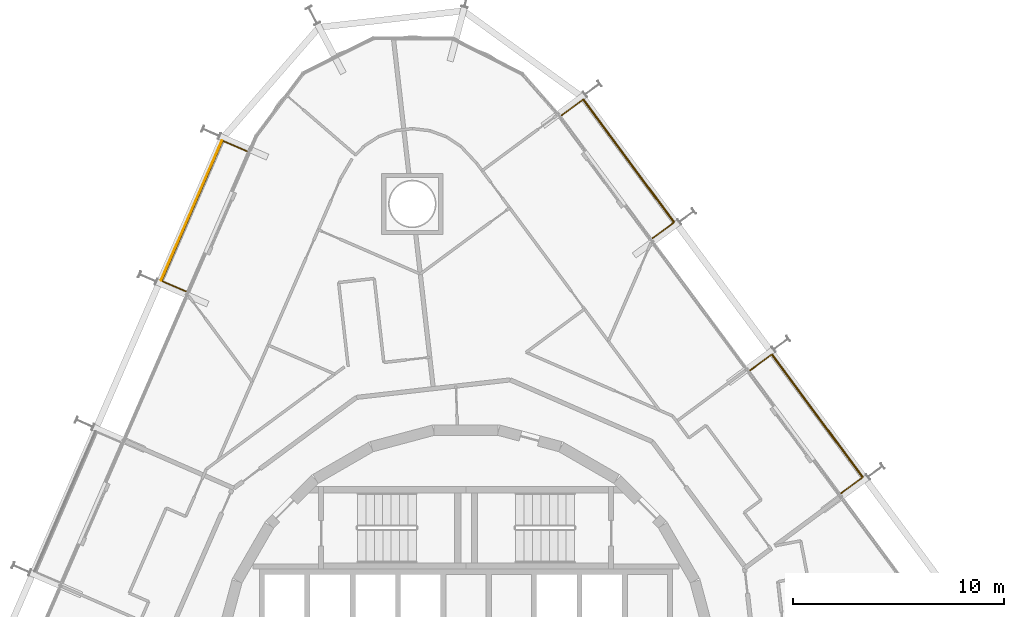
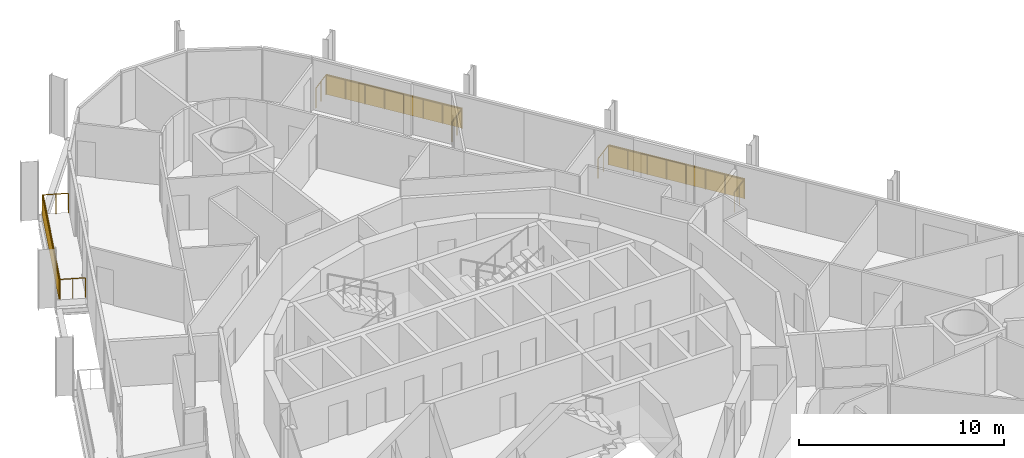
# One storey, part 24 of 24: 3 railings, 3 shading devices.
"""IFC4 building model written with IfcOpenShell, lengths in metres."""

from ifc_helpers import new_model, si_unit, direction, frame, origin, origin_2d, place, context, subcontext, project, spatial, rectangle, circle, extrude, material, layer, layer_set, type_object, element, save


model = new_model("IFC4")

# Units and contexts
model_context = context("Model", 3, precision=1e-05, world=origin(), true_north=direction((0.0, 1.0)))
body_context = subcontext(model_context, "Body", "Model", "MODEL_VIEW")
ifc_project = project(units=[si_unit("LENGTHUNIT", "METRE"), si_unit("AREAUNIT", "SQUARE_METRE"), si_unit("VOLUMEUNIT", "CUBIC_METRE"), si_unit("PLANEANGLEUNIT", "RADIAN"), si_unit("MASSUNIT", "GRAM", prefix="KILO")], contexts=[model_context])

# Site, building, storey
site_placement = place(None, origin())
site = spatial("IfcSite", under=ifc_project, at=site_placement, CompositionType="ELEMENT")
building_placement = place(site_placement, origin())
building = spatial("IfcBuilding", under=site, at=building_placement, Name="Spindle Arch Residences", CompositionType="ELEMENT")
storey_placement = place(building_placement, frame((0.0, 0.0, 87.199951171875)))
storey = spatial("IfcBuildingStorey", under=building, at=storey_placement, Name="L20", CompositionType="ELEMENT", Elevation=87.199951171875)

# Railings
ifc_material_1 = material(Name="Bronze anodised aluminium guard with glass infill", Category="aluminium")
railing_type = type_object("IfcRailingType", Name="Balcony guard 1200", PredefinedType="GUARDRAIL", material=ifc_material_1)
railing_1_placement = place(storey_placement, frame((17.788818359375, 8.654296875, 0.0)))
element("IfcRailing", 1, at=railing_1_placement, inside=storey, type_object=railing_type, Name="Guard L20 bay 8", PredefinedType="GUARDRAIL", context=body_context, shape_type="SweptSolid", body=[
    extrude(circle(Radius=0.02392578125, at=origin_2d()), frame((0.0, 0.0, 1.17578125), z_axis=(0.803826957932, 0.594863195787, 0.0), x_axis=(-0.594863195787, 0.803826957932, 0.0)), (0.0, 0.0, 1.0), 1.250244140625),
    extrude(circle(Radius=0.02392578125, at=origin_2d()), frame((1.0048828125, 0.74365234375, 1.17578125), z_axis=(-0.594830382786, 0.803851239792, 0.0), x_axis=(-0.803851239792, -0.594830382786, 0.0)), (0.0, 0.0, 1.0), 7.248779296875),
    extrude(circle(Radius=0.02392578125, at=origin_2d()), frame((-3.306884765625, 6.570556640625, 1.17578125), z_axis=(-0.803920341668, -0.594736987459, 0.0), x_axis=(0.594736987459, -0.803920341668, 0.0)), (0.0, 0.0, 1.0), 1.25),
    extrude(circle(Radius=0.02099609375, at=origin_2d()), origin(), (0.0, 0.0, 1.0), 1.15185546875),
    extrude(circle(Radius=0.02099609375, at=origin_2d()), frame((0.50244140625, 0.371826171875, 0.0)), (0.0, 0.0, 1.0), 1.15185546875),
    extrude(circle(Radius=0.02099609375, at=origin_2d()), frame((1.0048828125, 0.74365234375, 0.0)), (0.0, 0.0, 1.0), 1.15185546875),
    extrude(circle(Radius=0.02099609375, at=origin_2d()), frame((0.388916015625, 1.576171875, 0.0)), (0.0, 0.0, 1.0), 1.15185546875),
    extrude(circle(Radius=0.02099609375, at=origin_2d()), frame((-0.22705078125, 2.408447265625, 0.0)), (0.0, 0.0, 1.0), 1.15185546875),
    extrude(circle(Radius=0.02099609375, at=origin_2d()), frame((-0.843017578125, 3.240966796875, 0.0)), (0.0, 0.0, 1.0), 1.15185546875),
    extrude(circle(Radius=0.02099609375, at=origin_2d()), frame((-1.458984375, 4.0732421875, 0.0)), (0.0, 0.0, 1.0), 1.15185546875),
    extrude(circle(Radius=0.02099609375, at=origin_2d()), frame((-2.074951171875, 4.90576171875, 0.0)), (0.0, 0.0, 1.0), 1.15185546875),
    extrude(circle(Radius=0.02099609375, at=origin_2d()), frame((-2.69091796875, 5.738037109375, 0.0)), (0.0, 0.0, 1.0), 1.15185546875),
    extrude(circle(Radius=0.02099609375, at=origin_2d()), frame((-3.306884765625, 6.570556640625, 0.0)), (0.0, 0.0, 1.0), 1.15185546875),
    extrude(circle(Radius=0.02099609375, at=origin_2d()), frame((-3.809326171875, 6.19873046875, 0.0)), (0.0, 0.0, 1.0), 1.15185546875),
    extrude(circle(Radius=0.02099609375, at=origin_2d()), frame((-4.311767578125, 5.8271484375, 0.0)), (0.0, 0.0, 1.0), 1.15185546875),
])
railing_2_placement = place(storey_placement, frame((8.84423828125, 20.742431640625, 0.0)))
element("IfcRailing", 2, at=railing_2_placement, inside=storey, type_object=railing_type, Name="Guard L20 bay 10", PredefinedType="GUARDRAIL", context=body_context, shape_type="SweptSolid", body=[
    extrude(circle(Radius=0.02392578125, at=origin_2d()), frame((0.0, 0.0, 1.17578125), z_axis=(0.803851239792, 0.594830382786, 0.0), x_axis=(-0.594830382786, 0.803851239792, 0.0)), (0.0, 0.0, 1.0), 1.249755859375),
    extrude(circle(Radius=0.02392578125, at=origin_2d()), frame((1.004638671875, 0.743408203125, 1.17578125), z_axis=(-0.594814278624, 0.803863156231, 0.0), x_axis=(-0.803863156231, -0.594814278624, 0.0)), (0.0, 0.0, 1.0), 7.2490234375),
    extrude(circle(Radius=0.02392578125, at=origin_2d()), frame((-3.30712890625, 6.570556640625, 1.17578125), z_axis=(-0.803757834758, -0.594956589228, 0.0), x_axis=(0.594956589228, -0.803757834758, 0.0)), (0.0, 0.0, 1.0), 1.25),
    extrude(circle(Radius=0.02099609375, at=origin_2d()), origin(), (0.0, 0.0, 1.0), 1.15185546875),
    extrude(circle(Radius=0.02099609375, at=origin_2d()), frame((0.50244140625, 0.37158203125, 0.0)), (0.0, 0.0, 1.0), 1.15185546875),
    extrude(circle(Radius=0.02099609375, at=origin_2d()), frame((1.004638671875, 0.743408203125, 0.0)), (0.0, 0.0, 1.0), 1.15185546875),
    extrude(circle(Radius=0.02099609375, at=origin_2d()), frame((0.388671875, 1.575927734375, 0.0)), (0.0, 0.0, 1.0), 1.15185546875),
    extrude(circle(Radius=0.02099609375, at=origin_2d()), frame((-0.227294921875, 2.408203125, 0.0)), (0.0, 0.0, 1.0), 1.15185546875),
    extrude(circle(Radius=0.02099609375, at=origin_2d()), frame((-0.84326171875, 3.24072265625, 0.0)), (0.0, 0.0, 1.0), 1.15185546875),
    extrude(circle(Radius=0.02099609375, at=origin_2d()), frame((-1.459228515625, 4.0732421875, 0.0)), (0.0, 0.0, 1.0), 1.15185546875),
    extrude(circle(Radius=0.02099609375, at=origin_2d()), frame((-2.0751953125, 4.90576171875, 0.0)), (0.0, 0.0, 1.0), 1.15185546875),
    extrude(circle(Radius=0.02099609375, at=origin_2d()), frame((-2.691162109375, 5.738037109375, 0.0)), (0.0, 0.0, 1.0), 1.15185546875),
    extrude(circle(Radius=0.02099609375, at=origin_2d()), frame((-3.30712890625, 6.570556640625, 0.0)), (0.0, 0.0, 1.0), 1.15185546875),
    extrude(circle(Radius=0.02099609375, at=origin_2d()), frame((-3.8095703125, 6.19873046875, 0.0)), (0.0, 0.0, 1.0), 1.15185546875),
    extrude(circle(Radius=0.02099609375, at=origin_2d()), frame((-4.311767578125, 5.826904296875, 0.0)), (0.0, 0.0, 1.0), 1.15185546875),
])
railing_3_placement = place(storey_placement, frame((-10.39306640625, 24.868896484375, 0.0)))
element("IfcRailing", 3, at=railing_3_placement, inside=storey, type_object=railing_type, Name="Guard L20 bay 14", PredefinedType="GUARDRAIL", context=body_context, shape_type="SweptSolid", body=[
    extrude(circle(Radius=0.02392578125, at=origin_2d()), frame((0.0, 0.0, 1.17578125), z_axis=(-0.917020365572, 0.398840380511, 0.0), x_axis=(-0.398840380511, -0.917020365572, 0.0)), (0.0, 0.0, 1.0), 1.25),
    extrude(circle(Radius=0.02392578125, at=origin_2d()), frame((-1.146240234375, 0.49853515625, 1.17578125), z_axis=(-0.3987630566, -0.917053992244, 0.0), x_axis=(0.917053992244, -0.3987630566, 0.0)), (0.0, 0.0, 1.0), 7.2490234375),
    extrude(circle(Radius=0.02392578125, at=origin_2d()), frame((-4.036865234375, -6.149169921875, 1.17578125), z_axis=(0.917051427253, -0.398768955377, 0.0), x_axis=(0.398768955377, 0.917051427253, 0.0)), (0.0, 0.0, 1.0), 1.250244140625),
    extrude(circle(Radius=0.02099609375, at=origin_2d()), origin(), (0.0, 0.0, 1.0), 1.15185546875),
    extrude(circle(Radius=0.02099609375, at=origin_2d()), frame((-0.5732421875, 0.249267578125, 0.0)), (0.0, 0.0, 1.0), 1.15185546875),
    extrude(circle(Radius=0.02099609375, at=origin_2d()), frame((-1.146240234375, 0.49853515625, 0.0)), (0.0, 0.0, 1.0), 1.15185546875),
    extrude(circle(Radius=0.02099609375, at=origin_2d()), frame((-1.55908203125, -0.451171875, 0.0)), (0.0, 0.0, 1.0), 1.15185546875),
    extrude(circle(Radius=0.02099609375, at=origin_2d()), frame((-1.97216796875, -1.40087890625, 0.0)), (0.0, 0.0, 1.0), 1.15185546875),
    extrude(circle(Radius=0.02099609375, at=origin_2d()), frame((-2.385009765625, -2.3505859375, 0.0)), (0.0, 0.0, 1.0), 1.15185546875),
    extrude(circle(Radius=0.02099609375, at=origin_2d()), frame((-2.798095703125, -3.300048828125, 0.0)), (0.0, 0.0, 1.0), 1.15185546875),
    extrude(circle(Radius=0.02099609375, at=origin_2d()), frame((-3.2109375, -4.249755859375, 0.0)), (0.0, 0.0, 1.0), 1.15185546875),
    extrude(circle(Radius=0.02099609375, at=origin_2d()), frame((-3.6240234375, -5.199462890625, 0.0)), (0.0, 0.0, 1.0), 1.15185546875),
    extrude(circle(Radius=0.02099609375, at=origin_2d()), frame((-4.036865234375, -6.149169921875, 0.0)), (0.0, 0.0, 1.0), 1.15185546875),
    extrude(circle(Radius=0.02099609375, at=origin_2d()), frame((-3.463623046875, -6.3984375, 0.0)), (0.0, 0.0, 1.0), 1.15185546875),
    extrude(circle(Radius=0.02099609375, at=origin_2d()), frame((-2.890380859375, -6.647705078125, 0.0)), (0.0, 0.0, 1.0), 1.15185546875),
])

# Shading devices
ifc_material_2 = material(Name="Bronze perforated cobogo screen")
ifc_layer = layer(ifc_material_2, 0.0390625)
ifc_layer_set = layer_set([ifc_layer], Name="Cobogo screen 1200")
shading_device_type = type_object("IfcShadingDeviceType", Name="Cobogo screen 1200", PredefinedType="USERDEFINED", material=ifc_layer_set)
for number, where, z_axis, x_axis, name in (
    (4, (16.67041015625, 12.33544921875, 0.0), (0.0, 0.0, 1.0), (-0.594822786751, 0.803856860617, 0.0), "Cobogo screen L20 bay 8"),
    (5, (7.7255859375, 24.423583984375, 0.0), (0.0, 0.0, 1.0), (-0.594822786751, 0.803856860617, 0.0), "Cobogo screen L20 bay 10"),
    (6, (-13.021728515625, 22.0595703125, 0.0), (0.0, 0.0, 1.0), (-0.398749068925, -0.917060074385, 0.0), "Cobogo screen L20 bay 14"),
):
    element("IfcShadingDevice", number, at=place(storey_placement, frame(where, z_axis=z_axis, x_axis=x_axis)), inside=storey, type_object=shading_device_type, Name=name, ObjectType="SCREEN", PredefinedType="USERDEFINED", context=body_context, shape_type="SweptSolid", body=[
        extrude(rectangle(XDim=7.248779296875, YDim=0.0390625, at=origin_2d()), origin(), (0.0, 0.0, 1.0), 1.199951171875),
    ])

save(model, "model.ifc")
